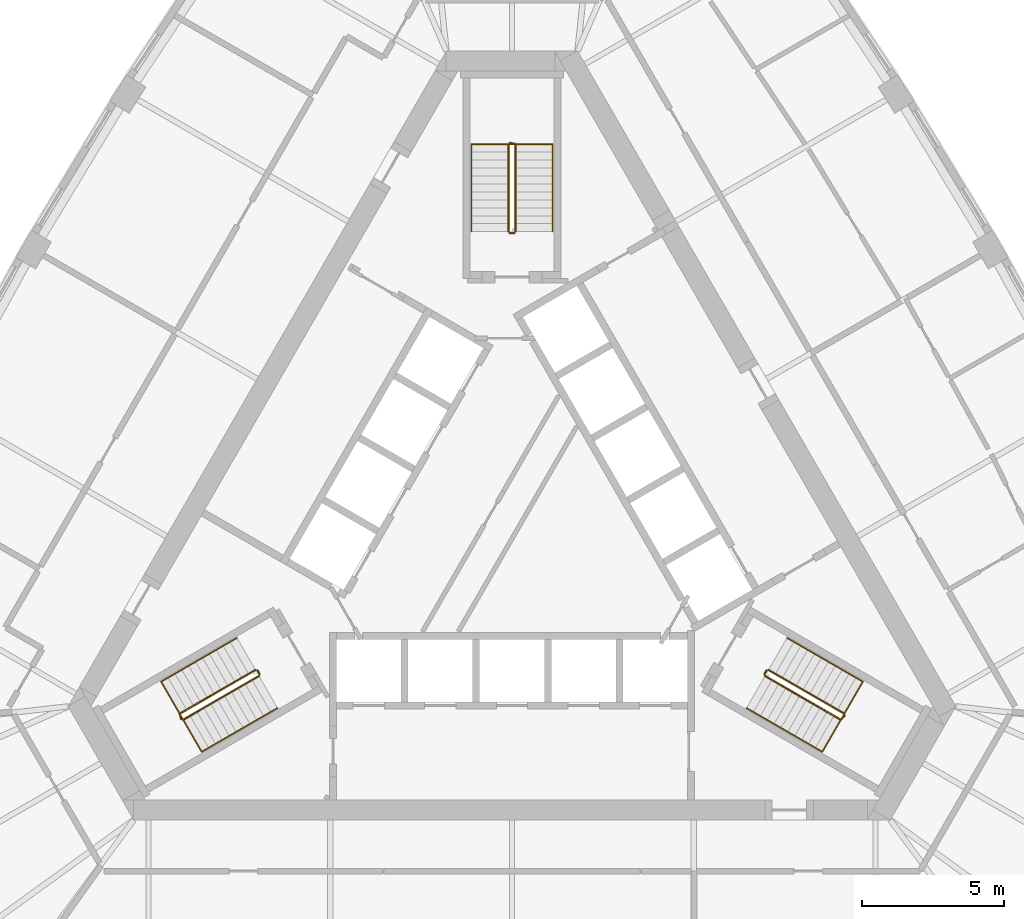
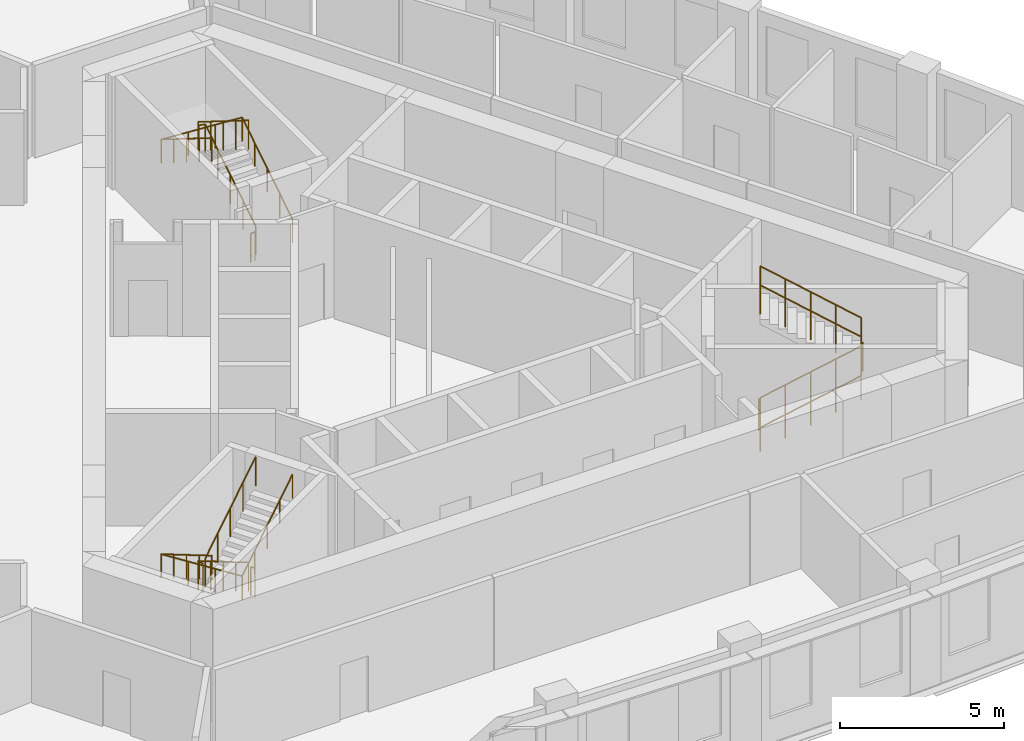
# One storey, part 10 of 10: 12 railings.
"""IFC4 building model written with IfcOpenShell, lengths in metres."""

from ifc_helpers import new_model, si_unit, direction, frame, origin, origin_2d, place, context, subcontext, project, spatial, circle, extrude, material, type_object, element, save


model = new_model("IFC4")

# Units and contexts
model_context = context("Model", 3, precision=1e-05, world=origin(), true_north=direction((0.0, 1.0)))
body_context = subcontext(model_context, "Body", "Model", "MODEL_VIEW")
ifc_project = project(units=[si_unit("LENGTHUNIT", "METRE"), si_unit("AREAUNIT", "SQUARE_METRE"), si_unit("VOLUMEUNIT", "CUBIC_METRE"), si_unit("PLANEANGLEUNIT", "RADIAN"), si_unit("MASSUNIT", "GRAM", prefix="KILO")], contexts=[model_context])

# Site, building, storey
site_placement = place(None, origin())
site = spatial("IfcSite", under=ifc_project, at=site_placement, CompositionType="ELEMENT")
building_placement = place(site_placement, origin())
building = spatial("IfcBuilding", under=site, at=building_placement, Name="Mestral Congress Tower", CompositionType="ELEMENT")
storey_placement = place(building_placement, frame((0.0, 0.0, 226.800048828125)))
storey = spatial("IfcBuildingStorey", under=building, at=storey_placement, Name="L53", CompositionType="ELEMENT", Elevation=226.800048828125)

# Railings
ifc_material_1 = material(Name="Steel balustrade", Category="steel")
railing_type_1 = type_object("IfcRailingType", Name="Stair guard 1100", PredefinedType="GUARDRAIL", material=ifc_material_1)
railing_1_placement = place(storey_placement, frame((8.90087890625, -5.283203125, 0.175048828125)))
element("IfcRailing", 1, at=railing_1_placement, inside=storey, type_object=railing_type_1, Name="L53 ST1 stair guard 1", PredefinedType="GUARDRAIL", context=body_context, shape_type="SweptSolid", body=[
    extrude(circle(Radius=0.02392578125, at=origin_2d()), frame((0.0, 0.0, 1.076171875), z_axis=(0.734390191396, -0.42403051051, 0.529970917068), x_axis=(0.500026652407, 0.866010015463, 0.0)), (0.0, 0.0, 1.0), 3.6318359375),
    extrude(circle(Radius=0.02392578125, at=origin_2d()), frame((2.667236328125, -1.5400390625, 3.0009765625), z_axis=(0.695164929852, 0.718850276695, 0.0), x_axis=(-0.718850276695, 0.695164929852, 0.0)), (0.0, 0.0, 1.0), 0.2060546875),
    extrude(circle(Radius=0.02099609375, at=origin_2d()), origin(), (0.0, 0.0, 1.0), 1.052001953125),
    extrude(circle(Radius=0.02099609375, at=origin_2d()), frame((0.666748046875, -0.385009765625, 0.481201171875)), (0.0, 0.0, 1.0), 1.052001953125),
    extrude(circle(Radius=0.02099609375, at=origin_2d()), frame((1.33349609375, -0.77001953125, 0.96240234375)), (0.0, 0.0, 1.0), 1.052001953125),
    extrude(circle(Radius=0.02099609375, at=origin_2d()), frame((2.00048828125, -1.155029296875, 1.443603515625)), (0.0, 0.0, 1.0), 1.052001953125),
    extrude(circle(Radius=0.02099609375, at=origin_2d()), frame((2.667236328125, -1.5400390625, 1.9248046875)), (0.0, 0.0, 1.0), 1.052001953125),
    extrude(circle(Radius=0.02099609375, at=origin_2d()), frame((2.810546875, -1.391845703125, 1.9248046875)), (0.0, 0.0, 1.0), 1.052001953125),
])
railing_2_placement = place(storey_placement, frame((11.693115234375, -6.606689453125, 2.27490234375)))
element("IfcRailing", 2, at=railing_2_placement, inside=storey, type_object=railing_type_1, Name="L53 ST1 stair guard 2", PredefinedType="GUARDRAIL", context=body_context, shape_type="SweptSolid", body=[
    extrude(circle(Radius=0.02392578125, at=origin_2d()), frame((0.0, 0.0, 1.076171875), z_axis=(-0.734364028329, 0.424015404183, 0.530019255228), x_axis=(-0.500026652407, -0.866010015463, 0.0)), (0.0, 0.0, 1.0), 3.632080078125),
    extrude(circle(Radius=0.02099609375, at=origin_2d()), origin(), (0.0, 0.0, 1.0), 1.052001953125),
    extrude(circle(Radius=0.02099609375, at=origin_2d()), frame((-0.666748046875, 0.385009765625, 0.481201171875)), (0.0, 0.0, 1.0), 1.052001953125),
    extrude(circle(Radius=0.02099609375, at=origin_2d()), frame((-1.33349609375, 0.77001953125, 0.96240234375)), (0.0, 0.0, 1.0), 1.052001953125),
    extrude(circle(Radius=0.02099609375, at=origin_2d()), frame((-2.00048828125, 1.155029296875, 1.44384765625)), (0.0, 0.0, 1.0), 1.052001953125),
    extrude(circle(Radius=0.02099609375, at=origin_2d()), frame((-2.667236328125, 1.5400390625, 1.925048828125)), (0.0, 0.0, 1.0), 1.052001953125),
])
railing_3_placement = place(storey_placement, frame((8.882568359375, -5.21484375, 0.0)))
element("IfcRailing", 3, at=railing_3_placement, inside=storey, type_object=railing_type_1, Name="L53 ST1 stair guard 3", PredefinedType="GUARDRAIL", context=body_context, shape_type="SweptSolid", body=[
    extrude(circle(Radius=0.02392578125, at=origin_2d()), frame((0.0, 0.0, 1.076171875), z_axis=(0.499816412211, 0.866131372301, 0.0), x_axis=(-0.866131372301, 0.499816412211, 0.0)), (0.0, 0.0, 1.0), 0.14990234375),
    extrude(circle(Radius=0.02099609375, at=origin_2d()), origin(), (0.0, 0.0, 1.0), 1.052001953125),
    extrude(circle(Radius=0.02099609375, at=origin_2d()), frame((0.074951171875, 0.1298828125, 0.0)), (0.0, 0.0, 1.0), 1.052001953125),
])
railing_4_placement = place(storey_placement, frame((0.125, 10.35009765625, 0.175048828125)))
element("IfcRailing", 4, at=railing_4_placement, inside=storey, type_object=railing_type_1, Name="L53 ST2 stair guard 1", PredefinedType="GUARDRAIL", context=body_context, shape_type="SweptSolid", body=[
    extrude(circle(Radius=0.02392578125, at=origin_2d()), frame((0.0, 0.0, 1.076171875), z_axis=(0.0, 0.848009633417, 0.529980812513), x_axis=(-1.0, 0.0, 0.0)), (0.0, 0.0, 1.0), 3.6318359375),
    extrude(circle(Radius=0.02392578125, at=origin_2d()), frame((0.0, 3.079833984375, 3.0009765625), z_axis=(-0.970072785993, 0.242814311512, 0.0), x_axis=(-0.242814311512, -0.970072785993, 0.0)), (0.0, 0.0, 1.0), 0.2060546875),
    extrude(circle(Radius=0.02099609375, at=origin_2d()), origin(), (0.0, 0.0, 1.0), 1.052001953125),
    extrude(circle(Radius=0.02099609375, at=origin_2d()), frame((0.0, 0.77001953125, 0.481201171875)), (0.0, 0.0, 1.0), 1.052001953125),
    extrude(circle(Radius=0.02099609375, at=origin_2d()), frame((0.0, 1.5400390625, 0.96240234375)), (0.0, 0.0, 1.0), 1.052001953125),
    extrude(circle(Radius=0.02099609375, at=origin_2d()), frame((0.0, 2.309814453125, 1.443603515625)), (0.0, 0.0, 1.0), 1.052001953125),
    extrude(circle(Radius=0.02099609375, at=origin_2d()), frame((0.0, 3.079833984375, 1.9248046875)), (0.0, 0.0, 1.0), 1.052001953125),
    extrude(circle(Radius=0.02099609375, at=origin_2d()), frame((-0.199951171875, 3.1298828125, 1.9248046875)), (0.0, 0.0, 1.0), 1.052001953125),
])
railing_5_placement = place(storey_placement, frame((-0.125, 13.429931640625, 2.27490234375)))
element("IfcRailing", 5, at=railing_5_placement, inside=storey, type_object=railing_type_1, Name="L53 ST2 stair guard 2", PredefinedType="GUARDRAIL", context=body_context, shape_type="SweptSolid", body=[
    extrude(circle(Radius=0.02392578125, at=origin_2d()), frame((0.0, 0.0, 1.076171875), z_axis=(0.0, -0.847979421464, 0.530029150871), x_axis=(1.0, 0.0, 0.0)), (0.0, 0.0, 1.0), 3.632080078125),
    extrude(circle(Radius=0.02099609375, at=origin_2d()), origin(), (0.0, 0.0, 1.0), 1.052001953125),
    extrude(circle(Radius=0.02099609375, at=origin_2d()), frame((0.0, -0.77001953125, 0.481201171875)), (0.0, 0.0, 1.0), 1.052001953125),
    extrude(circle(Radius=0.02099609375, at=origin_2d()), frame((0.0, -1.5400390625, 0.96240234375)), (0.0, 0.0, 1.0), 1.052001953125),
    extrude(circle(Radius=0.02099609375, at=origin_2d()), frame((0.0, -2.309814453125, 1.44384765625)), (0.0, 0.0, 1.0), 1.052001953125),
    extrude(circle(Radius=0.02099609375, at=origin_2d()), frame((0.0, -3.079833984375, 1.925048828125)), (0.0, 0.0, 1.0), 1.052001953125),
])
railing_6_placement = place(storey_placement, frame((0.074951171875, 10.300048828125, 0.0)))
element("IfcRailing", 6, at=railing_6_placement, inside=storey, type_object=railing_type_1, Name="L53 ST2 stair guard 3", PredefinedType="GUARDRAIL", context=body_context, shape_type="SweptSolid", body=[
    extrude(circle(Radius=0.02392578125, at=origin_2d()), frame((0.0, 0.0, 1.076171875), z_axis=(-1.0, 0.0, 0.0), x_axis=(0.0, -1.0, 0.0)), (0.0, 0.0, 1.0), 0.14990234375),
    extrude(circle(Radius=0.02099609375, at=origin_2d()), origin(), (0.0, 0.0, 1.0), 1.052001953125),
    extrude(circle(Radius=0.02099609375, at=origin_2d()), frame((-0.14990234375, 0.0, 0.0)), (0.0, 0.0, 1.0), 1.052001953125),
])
railing_7_placement = place(storey_placement, frame((-9.02587890625, -5.066650390625, 0.175048828125)))
element("IfcRailing", 7, at=railing_7_placement, inside=storey, type_object=railing_type_1, Name="L53 ST3 stair guard 1", PredefinedType="GUARDRAIL", context=body_context, shape_type="SweptSolid", body=[
    extrude(circle(Radius=0.02392578125, at=origin_2d()), frame((0.0, 0.0, 1.076171875), z_axis=(-0.734390191396, -0.42403051051, 0.529970917068), x_axis=(0.500026652407, -0.866010015463, 0.0)), (0.0, 0.0, 1.0), 3.6318359375),
    extrude(circle(Radius=0.02392578125, at=origin_2d()), frame((-2.667236328125, -1.5400390625, 3.0009765625), z_axis=(0.274721127897, -0.961523947641, 0.0), x_axis=(0.961523947641, 0.274721127897, 0.0)), (0.0, 0.0, 1.0), 0.2060546875),
    extrude(circle(Radius=0.02099609375, at=origin_2d()), origin(), (0.0, 0.0, 1.0), 1.052001953125),
    extrude(circle(Radius=0.02099609375, at=origin_2d()), frame((-0.666748046875, -0.385009765625, 0.481201171875)), (0.0, 0.0, 1.0), 1.052001953125),
    extrude(circle(Radius=0.02099609375, at=origin_2d()), frame((-1.33349609375, -0.77001953125, 0.96240234375)), (0.0, 0.0, 1.0), 1.052001953125),
    extrude(circle(Radius=0.02099609375, at=origin_2d()), frame((-2.00048828125, -1.155029296875, 1.443603515625)), (0.0, 0.0, 1.0), 1.052001953125),
    extrude(circle(Radius=0.02099609375, at=origin_2d()), frame((-2.667236328125, -1.5400390625, 1.9248046875)), (0.0, 0.0, 1.0), 1.052001953125),
    extrude(circle(Radius=0.02099609375, at=origin_2d()), frame((-2.610595703125, -1.73828125, 1.9248046875)), (0.0, 0.0, 1.0), 1.052001953125),
])
railing_8_placement = place(storey_placement, frame((-11.568115234375, -6.8232421875, 2.27490234375)))
element("IfcRailing", 8, at=railing_8_placement, inside=storey, type_object=railing_type_1, Name="L53 ST3 stair guard 2", PredefinedType="GUARDRAIL", context=body_context, shape_type="SweptSolid", body=[
    extrude(circle(Radius=0.02392578125, at=origin_2d()), frame((0.0, 0.0, 1.076171875), z_axis=(0.734364028329, 0.424015404183, 0.530019255228), x_axis=(-0.500026652407, 0.866010015463, 0.0)), (0.0, 0.0, 1.0), 3.632080078125),
    extrude(circle(Radius=0.02099609375, at=origin_2d()), origin(), (0.0, 0.0, 1.0), 1.052001953125),
    extrude(circle(Radius=0.02099609375, at=origin_2d()), frame((0.666748046875, 0.385009765625, 0.481201171875)), (0.0, 0.0, 1.0), 1.052001953125),
    extrude(circle(Radius=0.02099609375, at=origin_2d()), frame((1.33349609375, 0.77001953125, 0.96240234375)), (0.0, 0.0, 1.0), 1.052001953125),
    extrude(circle(Radius=0.02099609375, at=origin_2d()), frame((2.00048828125, 1.155029296875, 1.44384765625)), (0.0, 0.0, 1.0), 1.052001953125),
    extrude(circle(Radius=0.02099609375, at=origin_2d()), frame((2.667236328125, 1.5400390625, 1.925048828125)), (0.0, 0.0, 1.0), 1.052001953125),
])
railing_9_placement = place(storey_placement, frame((-8.95751953125, -5.0849609375, 0.0)))
element("IfcRailing", 9, at=railing_9_placement, inside=storey, type_object=railing_type_1, Name="L53 ST3 stair guard 3", PredefinedType="GUARDRAIL", context=body_context, shape_type="SweptSolid", body=[
    extrude(circle(Radius=0.02392578125, at=origin_2d()), frame((0.0, 0.0, 1.076171875), z_axis=(0.499816412211, -0.866131372301, 0.0), x_axis=(0.866131372301, 0.499816412211, 0.0)), (0.0, 0.0, 1.0), 0.14990234375),
    extrude(circle(Radius=0.02099609375, at=origin_2d()), origin(), (0.0, 0.0, 1.0), 1.052001953125),
    extrude(circle(Radius=0.02099609375, at=origin_2d()), frame((0.074951171875, -0.1298828125, 0.0)), (0.0, 0.0, 1.0), 1.052001953125),
])
ifc_material_2 = material(Name="Steel handrail", Category="steel")
railing_type_2 = type_object("IfcRailingType", Name="Stair handrail 900", PredefinedType="HANDRAIL", material=ifc_material_2)
railing_10_placement = place(storey_placement, frame((8.2509765625, -6.4091796875, 0.175048828125)))
element("IfcRailing", 10, at=railing_10_placement, inside=storey, type_object=railing_type_2, Name="L53 ST1 stair handrail 1", PredefinedType="HANDRAIL", context=body_context, shape_type="SweptSolid", body=[
    extrude(circle(Radius=0.02392578125, at=origin_2d()), frame((0.0, 0.0, 0.8759765625), z_axis=(0.734411123532, -0.423975373557, 0.529986022693), x_axis=(0.499967199496, 0.866044340336, 0.0)), (0.0, 0.0, 1.0), 3.6318359375),
    extrude(circle(Radius=0.02392578125, at=origin_2d()), frame((2.667236328125, -1.539794921875, 2.80078125), z_axis=(0.499095769026, 0.864375386171, 0.061307463833), x_axis=(-0.866004402611, 0.500036373335, 0.0)), (0.0, 0.0, 1.0), 2.855224609375),
    extrude(circle(Radius=0.02392578125, at=origin_2d()), frame((4.09228515625, 0.92822265625, 2.9755859375), z_axis=(-0.734394994316, 0.423994474112, 0.52999309264), x_axis=(-0.499992328818, -0.866029832698, 0.0)), (0.0, 0.0, 1.0), 3.63232421875),
    extrude(circle(Radius=0.02099609375, at=origin_2d()), origin(), (0.0, 0.0, 1.0), 0.851806640625),
    extrude(circle(Radius=0.02099609375, at=origin_2d()), frame((0.666748046875, -0.385009765625, 0.481201171875)), (0.0, 0.0, 1.0), 0.851806640625),
    extrude(circle(Radius=0.02099609375, at=origin_2d()), frame((1.33349609375, -0.77001953125, 0.96240234375)), (0.0, 0.0, 1.0), 0.851806640625),
    extrude(circle(Radius=0.02099609375, at=origin_2d()), frame((2.00048828125, -1.15478515625, 1.443603515625)), (0.0, 0.0, 1.0), 0.851806640625),
    extrude(circle(Radius=0.02099609375, at=origin_2d()), frame((2.667236328125, -1.539794921875, 1.9248046875)), (0.0, 0.0, 1.0), 0.851806640625),
    extrude(circle(Radius=0.02099609375, at=origin_2d()), frame((3.142333984375, -0.717041015625, 1.983154296875)), (0.0, 0.0, 1.0), 0.851806640625),
    extrude(circle(Radius=0.02099609375, at=origin_2d()), frame((3.6171875, 0.10546875, 2.04150390625)), (0.0, 0.0, 1.0), 0.851806640625),
    extrude(circle(Radius=0.02099609375, at=origin_2d()), frame((4.09228515625, 0.92822265625, 2.099853515625)), (0.0, 0.0, 1.0), 0.851806640625),
    extrude(circle(Radius=0.02099609375, at=origin_2d()), frame((3.42529296875, 1.313232421875, 2.5810546875)), (0.0, 0.0, 1.0), 0.851806640625),
    extrude(circle(Radius=0.02099609375, at=origin_2d()), frame((2.758544921875, 1.6982421875, 3.0625)), (0.0, 0.0, 1.0), 0.851806640625),
    extrude(circle(Radius=0.02099609375, at=origin_2d()), frame((2.091796875, 2.083251953125, 3.543701171875)), (0.0, 0.0, 1.0), 0.851806640625),
    extrude(circle(Radius=0.02099609375, at=origin_2d()), frame((1.4248046875, 2.46826171875, 4.02490234375)), (0.0, 0.0, 1.0), 0.851806640625),
])
railing_11_placement = place(storey_placement, frame((1.425048828125, 10.35009765625, 0.175048828125)))
element("IfcRailing", 11, at=railing_11_placement, inside=storey, type_object=railing_type_2, Name="L53 ST2 stair handrail 1", PredefinedType="HANDRAIL", context=body_context, shape_type="SweptSolid", body=[
    extrude(circle(Radius=0.02392578125, at=origin_2d()), frame((0.0, 0.0, 0.8759765625), z_axis=(0.0, 0.848009633417, 0.529980812513), x_axis=(-1.0, 0.0, 0.0)), (0.0, 0.0, 1.0), 3.6318359375),
    extrude(circle(Radius=0.02392578125, at=origin_2d()), frame((0.0, 3.079833984375, 2.80078125), z_axis=(-0.998119201106, 0.0, 0.061303021003), x_axis=(0.0, -1.0, 0.0)), (0.0, 0.0, 1.0), 2.85546875),
    extrude(circle(Radius=0.02392578125, at=origin_2d()), frame((-2.85009765625, 3.079833984375, 2.9755859375), z_axis=(0.0, -0.847979421464, 0.530029150871), x_axis=(1.0, 0.0, 0.0)), (0.0, 0.0, 1.0), 3.632080078125),
    extrude(circle(Radius=0.02099609375, at=origin_2d()), origin(), (0.0, 0.0, 1.0), 0.851806640625),
    extrude(circle(Radius=0.02099609375, at=origin_2d()), frame((0.0, 0.77001953125, 0.481201171875)), (0.0, 0.0, 1.0), 0.851806640625),
    extrude(circle(Radius=0.02099609375, at=origin_2d()), frame((0.0, 1.5400390625, 0.96240234375)), (0.0, 0.0, 1.0), 0.851806640625),
    extrude(circle(Radius=0.02099609375, at=origin_2d()), frame((0.0, 2.309814453125, 1.443603515625)), (0.0, 0.0, 1.0), 0.851806640625),
    extrude(circle(Radius=0.02099609375, at=origin_2d()), frame((0.0, 3.079833984375, 1.9248046875)), (0.0, 0.0, 1.0), 0.851806640625),
    extrude(circle(Radius=0.02099609375, at=origin_2d()), frame((-0.949951171875, 3.079833984375, 1.983154296875)), (0.0, 0.0, 1.0), 0.851806640625),
    extrude(circle(Radius=0.02099609375, at=origin_2d()), frame((-1.900146484375, 3.079833984375, 2.04150390625)), (0.0, 0.0, 1.0), 0.851806640625),
    extrude(circle(Radius=0.02099609375, at=origin_2d()), frame((-2.85009765625, 3.079833984375, 2.099853515625)), (0.0, 0.0, 1.0), 0.851806640625),
    extrude(circle(Radius=0.02099609375, at=origin_2d()), frame((-2.85009765625, 2.309814453125, 2.5810546875)), (0.0, 0.0, 1.0), 0.851806640625),
    extrude(circle(Radius=0.02099609375, at=origin_2d()), frame((-2.85009765625, 1.5400390625, 3.0625)), (0.0, 0.0, 1.0), 0.851806640625),
    extrude(circle(Radius=0.02099609375, at=origin_2d()), frame((-2.85009765625, 0.77001953125, 3.543701171875)), (0.0, 0.0, 1.0), 0.851806640625),
    extrude(circle(Radius=0.02099609375, at=origin_2d()), frame((-2.85009765625, 0.0, 4.02490234375)), (0.0, 0.0, 1.0), 0.851806640625),
])
railing_12_placement = place(storey_placement, frame((-9.67578125, -3.94091796875, 0.175048828125)))
element("IfcRailing", 12, at=railing_12_placement, inside=storey, type_object=railing_type_2, Name="L53 ST3 stair handrail 1", PredefinedType="HANDRAIL", context=body_context, shape_type="SweptSolid", body=[
    extrude(circle(Radius=0.02392578125, at=origin_2d()), frame((0.0, 0.0, 0.8759765625), z_axis=(-0.734421155904, -0.424009578203, 0.529944755001), x_axis=(0.499992328818, -0.866029832698, 0.0)), (0.0, 0.0, 1.0), 3.632080078125),
    extrude(circle(Radius=0.02392578125, at=origin_2d()), frame((-2.66748046875, -1.5400390625, 2.80078125), z_axis=(0.499095769026, -0.864375386171, 0.061307463833), x_axis=(0.866004402611, 0.500036373335, 0.0)), (0.0, 0.0, 1.0), 2.855224609375),
    extrude(circle(Radius=0.02392578125, at=origin_2d()), frame((-1.242431640625, -4.008056640625, 2.9755859375), z_axis=(0.734384958227, 0.423960268333, 0.530034361155), x_axis=(-0.499967199496, 0.866044340336, 0.0)), (0.0, 0.0, 1.0), 3.6318359375),
    extrude(circle(Radius=0.02099609375, at=origin_2d()), origin(), (0.0, 0.0, 1.0), 0.851806640625),
    extrude(circle(Radius=0.02099609375, at=origin_2d()), frame((-0.6669921875, -0.385009765625, 0.481201171875)), (0.0, 0.0, 1.0), 0.851806640625),
    extrude(circle(Radius=0.02099609375, at=origin_2d()), frame((-1.333740234375, -0.77001953125, 0.96240234375)), (0.0, 0.0, 1.0), 0.851806640625),
    extrude(circle(Radius=0.02099609375, at=origin_2d()), frame((-2.00048828125, -1.155029296875, 1.443603515625)), (0.0, 0.0, 1.0), 0.851806640625),
    extrude(circle(Radius=0.02099609375, at=origin_2d()), frame((-2.66748046875, -1.5400390625, 1.9248046875)), (0.0, 0.0, 1.0), 0.851806640625),
    extrude(circle(Radius=0.02099609375, at=origin_2d()), frame((-2.1923828125, -2.36279296875, 1.983154296875)), (0.0, 0.0, 1.0), 0.851806640625),
    extrude(circle(Radius=0.02099609375, at=origin_2d()), frame((-1.717529296875, -3.185302734375, 2.04150390625)), (0.0, 0.0, 1.0), 0.851806640625),
    extrude(circle(Radius=0.02099609375, at=origin_2d()), frame((-1.242431640625, -4.008056640625, 2.099853515625)), (0.0, 0.0, 1.0), 0.851806640625),
    extrude(circle(Radius=0.02099609375, at=origin_2d()), frame((-0.57568359375, -3.623046875, 2.5810546875)), (0.0, 0.0, 1.0), 0.851806640625),
    extrude(circle(Radius=0.02099609375, at=origin_2d()), frame((0.09130859375, -3.23828125, 3.0625)), (0.0, 0.0, 1.0), 0.851806640625),
    extrude(circle(Radius=0.02099609375, at=origin_2d()), frame((0.758056640625, -2.853271484375, 3.543701171875)), (0.0, 0.0, 1.0), 0.851806640625),
    extrude(circle(Radius=0.02099609375, at=origin_2d()), frame((1.4248046875, -2.46826171875, 4.02490234375)), (0.0, 0.0, 1.0), 0.851806640625),
])

save(model, "model.ifc")
